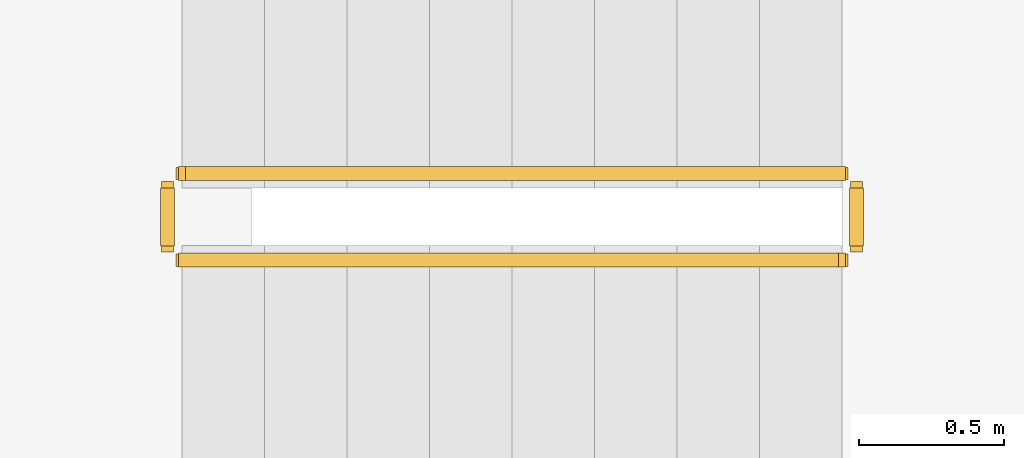
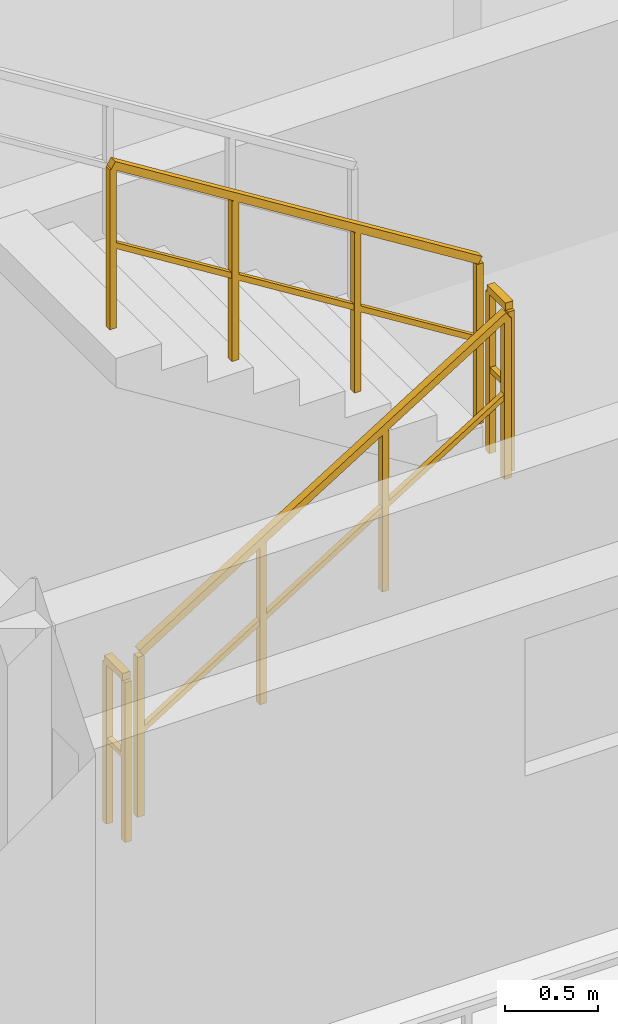
# One storey, part 66 of 76: 4 railings.
"""IFC4 building model written with IfcOpenShell, lengths in metres."""

from ifc_helpers import new_model, si_unit, direction, frame, origin, origin_2d, place, context, subcontext, project, spatial, rectangle, extrude, material, type_object, element, save


model = new_model("IFC4")

# Units and contexts
model_context = context("Model", 3, precision=1e-05, world=origin(), true_north=direction((0.0, 1.0)))
body_context = subcontext(model_context, "Body", "Model", "MODEL_VIEW")
ifc_project = project(units=[si_unit("LENGTHUNIT", "METRE"), si_unit("AREAUNIT", "SQUARE_METRE"), si_unit("VOLUMEUNIT", "CUBIC_METRE"), si_unit("PLANEANGLEUNIT", "RADIAN"), si_unit("MASSUNIT", "GRAM", prefix="KILO")], contexts=[model_context])

# Site, building, storey
site_placement = place(None, origin())
site = spatial("IfcSite", under=ifc_project, at=site_placement, CompositionType="ELEMENT")
building_placement = place(site_placement, origin())
building = spatial("IfcBuilding", under=site, at=building_placement, Name="Suanplinth Sawtooth Commons", CompositionType="ELEMENT")
storey_placement = place(building_placement, frame((0.0, 0.0, 12.199951171875)))
storey = spatial("IfcBuildingStorey", under=building, at=storey_placement, Name="L03", CompositionType="ELEMENT", Elevation=12.199951171875)

# Railings
ifc_material = material(Name="Stainless steel Grade 304", Category="steel")
railing_type = type_object("IfcRailingType", Name="GR-04", PredefinedType="GUARDRAIL", material=ifc_material)
railing_1_placement = place(storey_placement, frame((45.050048828125, 109.85009765625, 0.177734375)))
element("IfcRailing", 1, at=railing_1_placement, inside=storey, type_object=railing_type, Name="L03 ST-N1 Guard 1", PredefinedType="GUARDRAIL", context=body_context, shape_type="SweptSolid", body=[
    extrude(rectangle(XDim=0.048095703125, YDim=0.048095703125, at=origin_2d()), frame((0.0, 0.0, 1.076171875), z_axis=(0.848442045328, 0.0, 0.529288291689), x_axis=(0.0, 1.0, 0.0)), (0.0, 0.0, 1.0), 2.687255859375),
    extrude(rectangle(XDim=0.03369140625, YDim=0.03369140625, at=origin_2d()), frame((0.0, 0.0, 0.550048828125), z_axis=(0.848442045328, 0.0, 0.529288291689), x_axis=(0.0, 1.0, 0.0)), (0.0, 0.0, 1.0), 2.687255859375),
    extrude(rectangle(XDim=0.0419921875, YDim=0.0419921875, at=origin_2d()), origin(), (0.0, 0.0, 1.0), 1.052001953125),
    extrude(rectangle(XDim=0.0419921875, YDim=0.0419921875, at=origin_2d()), frame((0.760009765625, 0.0, 0.47412109375)), (0.0, 0.0, 1.0), 1.052001953125),
    extrude(rectangle(XDim=0.0419921875, YDim=0.0419921875, at=origin_2d()), frame((1.52001953125, 0.0, 0.9482421875)), (0.0, 0.0, 1.0), 1.052001953125),
    extrude(rectangle(XDim=0.0419921875, YDim=0.0419921875, at=origin_2d()), frame((2.280029296875, 0.0, 1.42236328125)), (0.0, 0.0, 1.0), 1.052001953125),
])
railing_2_placement = place(storey_placement, frame((47.3798828125, 109.89990234375, 1.60009765625)))
element("IfcRailing", 2, at=railing_2_placement, inside=storey, type_object=railing_type, Name="L03 ST-N1 Guard 2", PredefinedType="GUARDRAIL", context=body_context, shape_type="SweptSolid", body=[
    extrude(rectangle(XDim=0.048095703125, YDim=0.048095703125, at=origin_2d()), frame((0.0, 0.0, 1.076171875), z_axis=(0.0, 1.0, 0.0), x_axis=(-1.0, 0.0, 0.0)), (0.0, 0.0, 1.0), 0.2001953125),
    extrude(rectangle(XDim=0.03369140625, YDim=0.03369140625, at=origin_2d()), frame((0.0, 0.0, 0.550048828125), z_axis=(0.0, 1.0, 0.0), x_axis=(-1.0, 0.0, 0.0)), (0.0, 0.0, 1.0), 0.2001953125),
    extrude(rectangle(XDim=0.0419921875, YDim=0.0419921875, at=origin_2d()), origin(), (0.0, 0.0, 1.0), 1.052001953125),
    extrude(rectangle(XDim=0.0419921875, YDim=0.0419921875, at=origin_2d()), frame((0.0, 0.2001953125, 0.0)), (0.0, 0.0, 1.0), 1.052001953125),
])
railing_3_placement = place(storey_placement, frame((47.330078125, 110.14990234375, 1.77783203125)))
element("IfcRailing", 3, at=railing_3_placement, inside=storey, type_object=railing_type, Name="L03 ST-N1 Guard 3", PredefinedType="GUARDRAIL", context=body_context, shape_type="SweptSolid", body=[
    extrude(rectangle(XDim=0.048095703125, YDim=0.048095703125, at=origin_2d()), frame((0.0, 0.0, 1.076171875), z_axis=(-0.848482842525, 0.0, 0.529222888715), x_axis=(0.0, -1.0, 0.0)), (0.0, 0.0, 1.0), 2.687255859375),
    extrude(rectangle(XDim=0.03369140625, YDim=0.03369140625, at=origin_2d()), frame((0.0, 0.0, 0.550048828125), z_axis=(-0.848482842525, 0.0, 0.529222888715), x_axis=(0.0, -1.0, 0.0)), (0.0, 0.0, 1.0), 2.687255859375),
    extrude(rectangle(XDim=0.0419921875, YDim=0.0419921875, at=origin_2d()), origin(), (0.0, 0.0, 1.0), 1.052001953125),
    extrude(rectangle(XDim=0.0419921875, YDim=0.0419921875, at=origin_2d()), frame((-0.760009765625, 0.0, 0.47412109375)), (0.0, 0.0, 1.0), 1.052001953125),
    extrude(rectangle(XDim=0.0419921875, YDim=0.0419921875, at=origin_2d()), frame((-1.52001953125, 0.0, 0.947998046875)), (0.0, 0.0, 1.0), 1.052001953125),
    extrude(rectangle(XDim=0.0419921875, YDim=0.0419921875, at=origin_2d()), frame((-2.280029296875, 0.0, 1.422119140625)), (0.0, 0.0, 1.0), 1.052001953125),
])
railing_4_placement = place(storey_placement, frame((45.0, 109.89990234375, 0.0)))
element("IfcRailing", 4, at=railing_4_placement, inside=storey, type_object=railing_type, Name="L03 ST-N1 Guard 4", PredefinedType="GUARDRAIL", context=body_context, shape_type="SweptSolid", body=[
    extrude(rectangle(XDim=0.048095703125, YDim=0.048095703125, at=origin_2d()), frame((0.0, 0.0, 1.076171875), z_axis=(0.0, 1.0, 0.0), x_axis=(-1.0, 0.0, 0.0)), (0.0, 0.0, 1.0), 0.2001953125),
    extrude(rectangle(XDim=0.03369140625, YDim=0.03369140625, at=origin_2d()), frame((0.0, 0.0, 0.550048828125), z_axis=(0.0, 1.0, 0.0), x_axis=(-1.0, 0.0, 0.0)), (0.0, 0.0, 1.0), 0.2001953125),
    extrude(rectangle(XDim=0.0419921875, YDim=0.0419921875, at=origin_2d()), origin(), (0.0, 0.0, 1.0), 1.052001953125),
    extrude(rectangle(XDim=0.0419921875, YDim=0.0419921875, at=origin_2d()), frame((0.0, 0.2001953125, 0.0)), (0.0, 0.0, 1.0), 1.052001953125),
])

save(model, "model.ifc")
